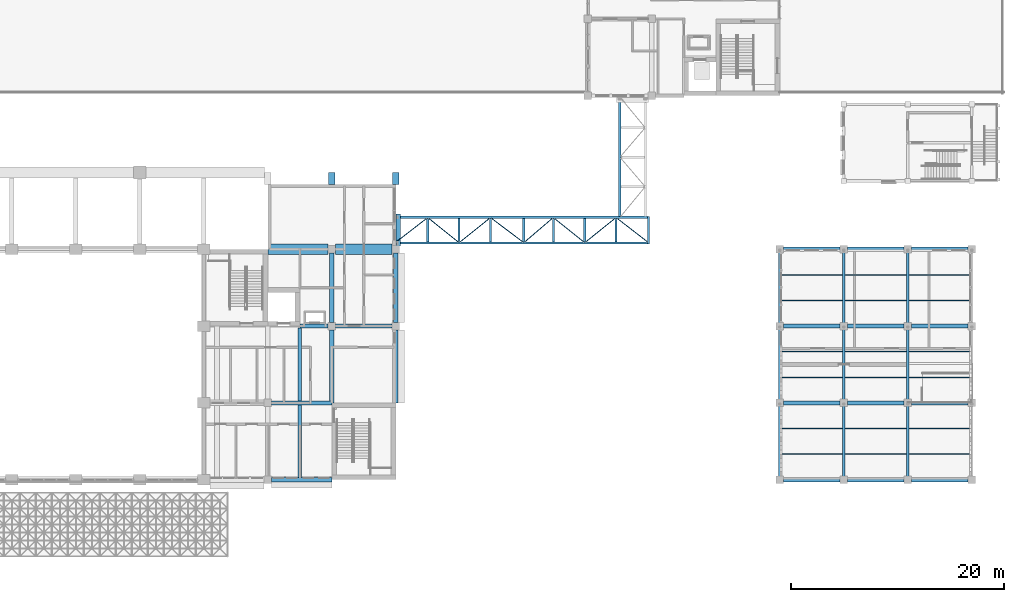
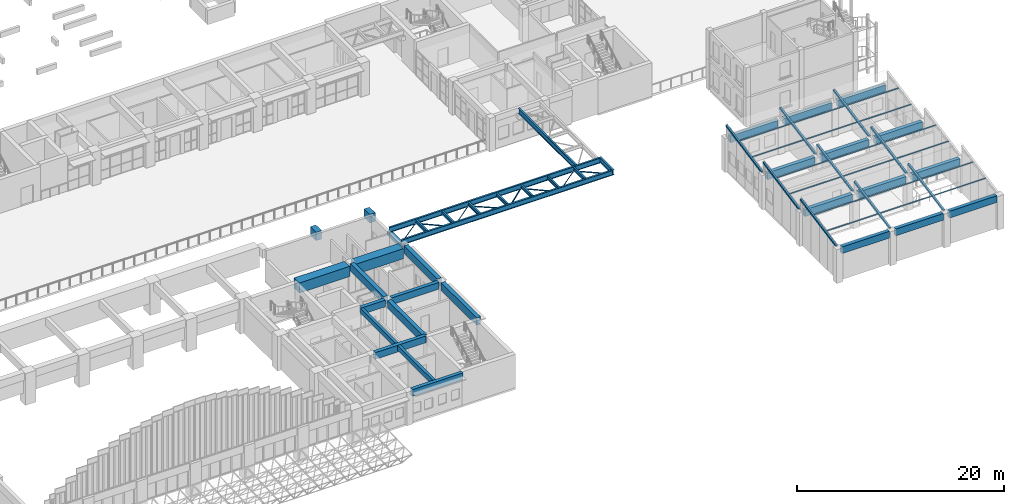
# One storey, part 28 of 103: 38 beams, 35 members.
"""IFC4 building model written with IfcOpenShell, lengths in metres."""

from ifc_helpers import new_model, si_unit, direction, frame, origin, origin_2d, place, context, subcontext, project, spatial, rectangle, hollow_rectangle, hollow_circle, i_section, extrude, material, material_profile, profile_set, type_object, element, save


model = new_model("IFC4")

# Units and contexts
model_context = context("Model", 3, precision=1e-05, world=origin(), true_north=direction((0.0, 1.0)))
body_context = subcontext(model_context, "Body", "Model", "MODEL_VIEW")
ifc_project = project(units=[si_unit("LENGTHUNIT", "METRE"), si_unit("AREAUNIT", "SQUARE_METRE"), si_unit("VOLUMEUNIT", "CUBIC_METRE"), si_unit("PLANEANGLEUNIT", "RADIAN"), si_unit("MASSUNIT", "GRAM", prefix="KILO")], contexts=[model_context])

# Site, building, storey
site_placement = place(None, origin())
site = spatial("IfcSite", under=ifc_project, at=site_placement, CompositionType="ELEMENT")
building_placement = place(site_placement, origin())
building = spatial("IfcBuilding", under=site, at=building_placement, Name="Laocheng Heights Fire and Rescue Headquarters", CompositionType="ELEMENT")
storey_placement = place(building_placement, frame((0.0, 0.0, 4.199951171875)))
storey = spatial("IfcBuildingStorey", under=building, at=storey_placement, Name="L01", CompositionType="ELEMENT", Elevation=4.199951171875)

# Beams
ifc_material_1 = material(Name="Concrete C60", Category="concrete")
ifc_material_profile_1 = material_profile(ifc_material_1, rectangle(XDim=1.0, YDim=1.199951171875, at=origin_2d()), Name="RC BEAM 1000x1200 TRANSFER GIRDER GABLE LINE")
ifc_profile_set_1 = profile_set([ifc_material_profile_1], Name="Concrete C60")
beam_type_1 = type_object("IfcBeamType", Name="RC BEAM 1000x1200 TRANSFER GIRDER GABLE LINE", PredefinedType="BEAM", material=ifc_profile_set_1)
beam_1_placement = place(storey_placement, frame((60.0, 21.60009765625, 3.150146484375), z_axis=(1.0, 0.0, 0.0), x_axis=(0.0, 1.0, 0.0)))
element("IfcBeam", 1, at=beam_1_placement, inside=storey, type_object=beam_type_1, Name="Transfer girder TG4", PredefinedType="BEAM", context=body_context, shape_type="SweptSolid", body=[
    extrude(rectangle(XDim=1.0, YDim=1.199951171875, at=origin_2d()), origin(), (0.0, 0.0, 1.0), 5.64990234375),
])
beam_2_placement = place(storey_placement, frame((66.35009765625, 21.60009765625, 3.150146484375), z_axis=(1.0, 0.0, 0.0), x_axis=(0.0, 1.0, 0.0)))
element("IfcBeam", 2, at=beam_2_placement, inside=storey, type_object=beam_type_1, Name="Transfer girder TG4", PredefinedType="BEAM", context=body_context, shape_type="SweptSolid", body=[
    extrude(rectangle(XDim=1.0, YDim=1.199951171875, at=origin_2d()), origin(), (0.0, 0.0, 1.0), 5.2998046875),
])
ifc_material_2 = material(Name="Concrete C40", Category="concrete")
ifc_material_profile_2 = material_profile(ifc_material_2, rectangle(XDim=0.300048828125, YDim=0.60009765625, at=origin_2d()), Name="RC BEAM 300x600 PAVILION SECONDARY")
ifc_profile_set_2 = profile_set([ifc_material_profile_2], Name="Concrete C40")
beam_type_2 = type_object("IfcBeamType", Name="RC BEAM 300x600 PAVILION SECONDARY", PredefinedType="BEAM", material=ifc_profile_set_2)
for number, where, z_axis, x_axis, name in (
    (3, (63.0, 0.199951171875, 3.650146484375), (0.0, 1.0, 0.0), (-1.0, 0.0, 0.0), "Pavilion secondary beam"),
    (4, (63.0, 7.39990234375, 3.650146484375), (0.0, 1.0, 0.0), (-1.0, 0.0, 0.0), "Pavilion secondary beam"),
):
    element("IfcBeam", number, at=place(storey_placement, frame(where, z_axis=z_axis, x_axis=x_axis)), inside=storey, type_object=beam_type_2, Name=name, PredefinedType="BEAM", context=body_context, shape_type="SweptSolid", body=[
        extrude(rectangle(XDim=0.300048828125, YDim=0.60009765625, at=origin_2d()), origin(), (0.0, 0.0, 1.0), 6.800048828125),
    ])
ifc_material_3 = material(Name="Concrete C40", Category="concrete")
ifc_material_profile_3 = material_profile(ifc_material_3, rectangle(XDim=0.39990234375, YDim=0.800048828125, at=origin_2d()), Name="RC BEAM 400x800 PAVILION FLOOR")
ifc_profile_set_3 = profile_set([ifc_material_profile_3], Name="Concrete C40")
beam_type_3 = type_object("IfcBeamType", Name="RC BEAM 400x800 PAVILION FLOOR", PredefinedType="BEAM", material=ifc_profile_set_3)
for number, where, z_axis, x_axis, name in (
    (5, (60.35009765625, 0.0, 3.550048828125), (1.0, 0.0, 0.0), (0.0, 1.0, 0.0), "Pavilion beam"),
    (6, (60.35009765625, 7.199951171875, 3.550048828125), (1.0, 0.0, 0.0), (0.0, 1.0, 0.0), "Pavilion beam"),
):
    element("IfcBeam", number, at=place(storey_placement, frame(where, z_axis=z_axis, x_axis=x_axis)), inside=storey, type_object=beam_type_3, Name=name, PredefinedType="BEAM", context=body_context, shape_type="SweptSolid", body=[
        extrude(rectangle(XDim=0.39990234375, YDim=0.800048828125, at=origin_2d()), origin(), (0.0, 0.0, 1.0), 5.64990234375),
    ])
beam_3_placement = place(storey_placement, frame((63.0, 14.39990234375, 3.550048828125), z_axis=(1.0, 0.0, 0.0), x_axis=(0.0, 1.0, 0.0)))
element("IfcBeam", 7, at=beam_3_placement, inside=storey, type_object=beam_type_3, Name="Pavilion beam", PredefinedType="BEAM", context=body_context, shape_type="SweptSolid", body=[
    extrude(rectangle(XDim=0.39990234375, YDim=0.800048828125, at=origin_2d()), origin(), (0.0, 0.0, 1.0), 2.64990234375),
])
beam_4_placement = place(storey_placement, frame((66.35009765625, 14.39990234375, 3.550048828125), z_axis=(1.0, 0.0, 0.0), x_axis=(0.0, 1.0, 0.0)))
element("IfcBeam", 8, at=beam_4_placement, inside=storey, type_object=beam_type_3, Name="Pavilion beam", PredefinedType="BEAM", context=body_context, shape_type="SweptSolid", body=[
    extrude(rectangle(XDim=0.39990234375, YDim=0.800048828125, at=origin_2d()), origin(), (0.0, 0.0, 1.0), 5.2998046875),
])
ifc_material_4 = material(Name="Concrete C40", Category="concrete")
ifc_material_profile_4 = material_profile(ifc_material_4, rectangle(XDim=0.39990234375, YDim=0.800048828125, at=origin_2d()), Name="RC BEAM 400x800 SAWTOOTH LINE")
ifc_profile_set_4 = profile_set([ifc_material_profile_4], Name="Concrete C40")
beam_type_4 = type_object("IfcBeamType", Name="RC BEAM 400x800 SAWTOOTH LINE", PredefinedType="BEAM", material=ifc_profile_set_4)
for number, where, z_axis, x_axis, name in (
    (9, (108.35009765625, 0.0, 3.603759765625), (1.0, 0.0, 0.0), (0.0, 1.0, 0.0), "Sawtooth line beam"),
    (10, (114.35009765625, 0.0, 3.603759765625), (1.0, 0.0, 0.0), (0.0, 1.0, 0.0), "Sawtooth line beam"),
    (11, (120.35009765625, 0.0, 3.603759765625), (1.0, 0.0, 0.0), (0.0, 1.0, 0.0), "Sawtooth line beam"),
    (12, (108.35009765625, 7.199951171875, 3.603759765625), (1.0, 0.0, 0.0), (0.0, 1.0, 0.0), "Sawtooth line beam"),
    (13, (114.35009765625, 7.199951171875, 3.603759765625), (1.0, 0.0, 0.0), (0.0, 1.0, 0.0), "Sawtooth line beam"),
    (14, (120.35009765625, 7.199951171875, 3.603759765625), (1.0, 0.0, 0.0), (0.0, 1.0, 0.0), "Sawtooth line beam"),
    (15, (108.35009765625, 14.39990234375, 3.603759765625), (1.0, 0.0, 0.0), (0.0, 1.0, 0.0), "Sawtooth line beam"),
    (16, (114.35009765625, 14.39990234375, 3.603759765625), (1.0, 0.0, 0.0), (0.0, 1.0, 0.0), "Sawtooth line beam"),
    (17, (120.35009765625, 14.39990234375, 3.603759765625), (1.0, 0.0, 0.0), (0.0, 1.0, 0.0), "Sawtooth line beam"),
    (18, (108.35009765625, 21.60009765625, 3.603759765625), (1.0, 0.0, 0.0), (0.0, 1.0, 0.0), "Sawtooth line beam"),
    (19, (114.35009765625, 21.60009765625, 3.603759765625), (1.0, 0.0, 0.0), (0.0, 1.0, 0.0), "Sawtooth line beam"),
    (20, (120.35009765625, 21.60009765625, 3.603759765625), (1.0, 0.0, 0.0), (0.0, 1.0, 0.0), "Sawtooth line beam"),
):
    element("IfcBeam", number, at=place(storey_placement, frame(where, z_axis=z_axis, x_axis=x_axis)), inside=storey, type_object=beam_type_4, Name=name, PredefinedType="BEAM", context=body_context, shape_type="SweptSolid", body=[
        extrude(rectangle(XDim=0.39990234375, YDim=0.800048828125, at=origin_2d()), origin(), (0.0, 0.0, 1.0), 5.2998046875),
    ])
ifc_material_5 = material(Name="Concrete C40", Category="concrete")
ifc_material_profile_5 = material_profile(ifc_material_5, rectangle(XDim=0.449951171875, YDim=0.89990234375, at=origin_2d()), Name="RC BEAM 450x900 PAVILION FLOOR")
ifc_profile_set_5 = profile_set([ifc_material_profile_5], Name="Concrete C40")
beam_type_5 = type_object("IfcBeamType", Name="RC BEAM 450x900 PAVILION FLOOR", PredefinedType="BEAM", material=ifc_profile_set_5)
beam_5_placement = place(storey_placement, frame((66.0, 7.199951171875, 3.5), z_axis=(0.0, 1.0, 0.0), x_axis=(-1.0, 0.0, 0.0)))
element("IfcBeam", 21, at=beam_5_placement, inside=storey, type_object=beam_type_5, Name="Pavilion beam", PredefinedType="BEAM", context=body_context, shape_type="SweptSolid", body=[
    extrude(rectangle(XDim=0.449951171875, YDim=0.89990234375, at=origin_2d()), origin(), (0.0, 0.0, 1.0), 6.85009765625),
])
beam_6_placement = place(storey_placement, frame((66.0, 14.75, 3.5), z_axis=(0.0, 1.0, 0.0), x_axis=(-1.0, 0.0, 0.0)))
element("IfcBeam", 22, at=beam_6_placement, inside=storey, type_object=beam_type_5, Name="Pavilion beam", PredefinedType="BEAM", context=body_context, shape_type="SweptSolid", body=[
    extrude(rectangle(XDim=0.449951171875, YDim=0.89990234375, at=origin_2d()), origin(), (0.0, 0.0, 1.0), 6.5),
])
beam_7_placement = place(storey_placement, frame((72.0, 7.199951171875, 3.5), z_axis=(0.0, 1.0, 0.0), x_axis=(-1.0, 0.0, 0.0)))
element("IfcBeam", 23, at=beam_7_placement, inside=storey, type_object=beam_type_5, Name="Pavilion beam", PredefinedType="BEAM", context=body_context, shape_type="SweptSolid", body=[
    extrude(rectangle(XDim=0.449951171875, YDim=0.89990234375, at=origin_2d()), origin(), (0.0, 0.0, 1.0), 6.85009765625),
])
beam_8_placement = place(storey_placement, frame((72.0, 14.75, 3.5), z_axis=(0.0, 1.0, 0.0), x_axis=(-1.0, 0.0, 0.0)))
element("IfcBeam", 24, at=beam_8_placement, inside=storey, type_object=beam_type_5, Name="Pavilion beam", PredefinedType="BEAM", context=body_context, shape_type="SweptSolid", body=[
    extrude(rectangle(XDim=0.449951171875, YDim=0.89990234375, at=origin_2d()), origin(), (0.0, 0.0, 1.0), 6.5),
])
ifc_material_6 = material(Name="Concrete C60", Category="concrete")
ifc_material_profile_6 = material_profile(ifc_material_6, rectangle(XDim=0.60009765625, YDim=1.0, at=origin_2d()), Name="RC BEAM 600x1000 TRANSFER CANTILEVER")
ifc_profile_set_6 = profile_set([ifc_material_profile_6], Name="Concrete C60")
beam_type_6 = type_object("IfcBeamType", Name="RC BEAM 600x1000 TRANSFER CANTILEVER", PredefinedType="BEAM", material=ifc_profile_set_6)
for number, where, z_axis, x_axis, name in (
    (25, (66.0, 27.699951171875, 3.25), (0.0, 1.0, 0.0), (-1.0, 0.0, 0.0), "Cantilever transfer beam TG5"),
    (26, (72.0, 27.699951171875, 3.25), (0.0, 1.0, 0.0), (-1.0, 0.0, 0.0), "Cantilever transfer beam TG5"),
):
    element("IfcBeam", number, at=place(storey_placement, frame(where, z_axis=z_axis, x_axis=x_axis)), inside=storey, type_object=beam_type_6, Name=name, PredefinedType="BEAM", context=body_context, shape_type="SweptSolid", body=[
        extrude(rectangle(XDim=0.60009765625, YDim=1.0, at=origin_2d()), origin(), (0.0, 0.0, 1.0), 1.10009765625),
    ])
ifc_material_7 = material(Name="Concrete C40", Category="concrete")
ifc_material_profile_7 = material_profile(ifc_material_7, rectangle(XDim=0.449951171875, YDim=0.449951171875, at=origin_2d()), Name="RC CORBEL 450x450 BRIDGE SEAT")
ifc_profile_set_7 = profile_set([ifc_material_profile_7], Name="Concrete C40")
beam_type_7 = type_object("IfcBeamType", Name="RC CORBEL 450x450 BRIDGE SEAT", PredefinedType="BEAM", material=ifc_profile_set_7)
beam_9_placement = place(storey_placement, frame((72.22509765625, 21.89990234375, 3.1552734375), z_axis=(0.0, 1.0, 0.0), x_axis=(-1.0, 0.0, 0.0)))
element("IfcBeam", 27, at=beam_9_placement, inside=storey, type_object=beam_type_7, Name="Bridge B4 corbel", PredefinedType="BEAM", context=body_context, shape_type="SweptSolid", body=[
    extrude(rectangle(XDim=0.449951171875, YDim=0.449951171875, at=origin_2d()), origin(), (0.0, 0.0, 1.0), 3.0),
])
ifc_material_8 = material(Name="Steel Q355B", Category="steel")
ifc_material_profile_8 = material_profile(ifc_material_8, i_section(OverallWidth=0.199951171875, OverallDepth=0.60009765625, WebThickness=0.010986328125, FlangeThickness=0.01708984375, at=origin_2d()), Name="HN 600x200x11x17")
ifc_profile_set_8 = profile_set([ifc_material_profile_8], Name="Steel Q355B")
beam_type_8 = type_object("IfcBeamType", Name="STEEL BRIDGE GIRDER HN 600x200x11x17", PredefinedType="BEAM", material=ifc_profile_set_8)
for number, where, z_axis, x_axis, name in (
    (28, (72.050048828125, 22.199951171875, 3.699951171875), (1.0, 0.0, 0.0), (0.0, 1.0, 0.0), "Bridge B4 girder"),
    (29, (72.050048828125, 24.60009765625, 3.699951171875), (1.0, 0.0, 0.0), (0.0, 1.0, 0.0), "Bridge B4 girder"),
):
    element("IfcBeam", number, at=place(storey_placement, frame(where, z_axis=z_axis, x_axis=x_axis)), inside=storey, type_object=beam_type_8, Name=name, PredefinedType="BEAM", context=body_context, shape_type="SweptSolid", body=[
        extrude(i_section(OverallWidth=0.199951171875, OverallDepth=0.60009765625, WebThickness=0.010986328125, FlangeThickness=0.01708984375, at=origin_2d()), origin(), (0.0, 0.0, 1.0), 23.550048828125),
    ])
beam_10_placement = place(storey_placement, frame((95.699951171875, 22.10009765625, 3.699951171875), z_axis=(0.0, 1.0, 0.0), x_axis=(-1.0, 0.0, 0.0)))
element("IfcBeam", 30, at=beam_10_placement, inside=storey, type_object=beam_type_8, Name="Bridge B4 end beam", PredefinedType="BEAM", context=body_context, shape_type="SweptSolid", body=[
    extrude(i_section(OverallWidth=0.199951171875, OverallDepth=0.60009765625, WebThickness=0.010986328125, FlangeThickness=0.01708984375, at=origin_2d()), origin(), (0.0, 0.0, 1.0), 2.599853515625),
])
beam_11_placement = place(storey_placement, frame((93.0, 24.699951171875, 3.699951171875), z_axis=(0.0, 1.0, 0.0), x_axis=(-1.0, 0.0, 0.0)))
element("IfcBeam", 31, at=beam_11_placement, inside=storey, type_object=beam_type_8, Name="Bridge B4 girder", PredefinedType="BEAM", context=body_context, shape_type="SweptSolid", body=[
    extrude(i_section(OverallWidth=0.199951171875, OverallDepth=0.60009765625, WebThickness=0.010986328125, FlangeThickness=0.01708984375, at=origin_2d()), origin(), (0.0, 0.0, 1.0), 11.074951171875),
])

# Members
ifc_material_9 = material(Name="Steel Q355B", Category="steel")
ifc_material_profile_9 = material_profile(ifc_material_9, hollow_circle(Radius=0.04443359375, WallThickness=0.0048828125, at=origin_2d()), Name="CHS 88.9x5")
ifc_profile_set_9 = profile_set([ifc_material_profile_9], Name="Steel Q355B")
member_type_1 = type_object("IfcMemberType", Name="STEEL BRIDGE PLAN BRACE CHS 88.9x5", PredefinedType="BRACE", material=ifc_profile_set_9)
member_1_placement = place(storey_placement, frame((72.050048828125, 22.300048828125, 3.4443359375), z_axis=(0.790947380603, 0.611884172958, 0.0), x_axis=(-0.611884172958, 0.790947380603, 0.0)))
element("IfcMember", 32, at=member_1_placement, inside=storey, type_object=member_type_1, Name="Bridge B4 plan bracing", PredefinedType="BRACE", context=body_context, shape_type="SweptSolid", body=[
    extrude(hollow_circle(Radius=0.04443359375, WallThickness=0.0048828125, at=origin_2d()), origin(), (0.0, 0.0, 1.0), 3.595458984375),
])
for number, where, z_axis, x_axis, name in (
    (33, (75.09375, 24.5, 3.4443359375), (0.780170710493, -0.625566673096, 0.0), (0.625566673096, 0.780170710493, 0.0), "Bridge B4 plan bracing"),
    (34, (78.03759765625, 22.300048828125, 3.4443359375), (0.780170710493, 0.625566673096, 0.0), (-0.625566673096, 0.780170710493, 0.0), "Bridge B4 plan bracing"),
):
    element("IfcMember", number, at=place(storey_placement, frame(where, z_axis=z_axis, x_axis=x_axis)), inside=storey, type_object=member_type_1, Name=name, PredefinedType="BRACE", context=body_context, shape_type="SweptSolid", body=[
        extrude(hollow_circle(Radius=0.04443359375, WallThickness=0.0048828125, at=origin_2d()), origin(), (0.0, 0.0, 1.0), 3.516845703125),
    ])
member_2_placement = place(storey_placement, frame((80.981201171875, 24.5, 3.4443359375), z_axis=(0.798562904451, -0.601911361942, 0.0), x_axis=(0.601911361942, 0.798562904451, 0.0)))
element("IfcMember", 35, at=member_2_placement, inside=storey, type_object=member_type_1, Name="Bridge B4 plan bracing", PredefinedType="BRACE", context=body_context, shape_type="SweptSolid", body=[
    extrude(hollow_circle(Radius=0.04443359375, WallThickness=0.0048828125, at=origin_2d()), origin(), (0.0, 0.0, 1.0), 3.655029296875),
])
member_3_placement = place(storey_placement, frame((84.10009765625, 22.300048828125, 3.4443359375), z_axis=(0.75950623739, 0.650500019497, 0.0), x_axis=(-0.650500019497, 0.75950623739, 0.0)))
element("IfcMember", 36, at=member_3_placement, inside=storey, type_object=member_type_1, Name="Bridge B4 plan bracing", PredefinedType="BRACE", context=body_context, shape_type="SweptSolid", body=[
    extrude(hollow_circle(Radius=0.04443359375, WallThickness=0.0048828125, at=origin_2d()), origin(), (0.0, 0.0, 1.0), 3.3818359375),
])
for number, where, z_axis, x_axis, name in (
    (37, (86.868896484375, 24.5, 3.4443359375), (0.780170710493, -0.625566673096, 0.0), (0.625566673096, 0.780170710493, 0.0), "Bridge B4 plan bracing"),
    (38, (89.8125, 22.300048828125, 3.4443359375), (0.78019787567, 0.625532792745, 0.0), (-0.625532792745, 0.78019787567, 0.0), "Bridge B4 plan bracing"),
):
    element("IfcMember", number, at=place(storey_placement, frame(where, z_axis=z_axis, x_axis=x_axis)), inside=storey, type_object=member_type_1, Name=name, PredefinedType="BRACE", context=body_context, shape_type="SweptSolid", body=[
        extrude(hollow_circle(Radius=0.04443359375, WallThickness=0.0048828125, at=origin_2d()), origin(), (0.0, 0.0, 1.0), 3.516845703125),
    ])
member_4_placement = place(storey_placement, frame((92.756103515625, 24.5, 3.4443359375), z_axis=(0.790972802016, -0.611851310753, 0.0), x_axis=(0.611851310753, 0.790972802016, 0.0)))
element("IfcMember", 39, at=member_4_placement, inside=storey, type_object=member_type_1, Name="Bridge B4 plan bracing", PredefinedType="BRACE", context=body_context, shape_type="SweptSolid", body=[
    extrude(hollow_circle(Radius=0.04443359375, WallThickness=0.0048828125, at=origin_2d()), origin(), (0.0, 0.0, 1.0), 3.595458984375),
])

# Beams
ifc_material_10 = material(Name="Steel Q355B", Category="steel")
ifc_material_profile_10 = material_profile(ifc_material_10, i_section(OverallWidth=0.199951171875, OverallDepth=0.39990234375, WebThickness=0.008056640625, FlangeThickness=0.012939453125, at=origin_2d()), Name="HN 400x200x8x13")
ifc_profile_set_10 = profile_set([ifc_material_profile_10], Name="Steel Q355B")
beam_type_9 = type_object("IfcBeamType", Name="STEEL BRIDGE TYING BEAM HN 400x200x8x13", PredefinedType="BEAM", material=ifc_profile_set_10)
for number, where, z_axis, x_axis, name in (
    (40, (74.993896484375, 22.300048828125, 3.800048828125), (0.0, 1.0, 0.0), (-1.0, 0.0, 0.0), "Bridge B4 cross beam"),
    (41, (77.9375, 22.300048828125, 3.800048828125), (0.0, 1.0, 0.0), (-1.0, 0.0, 0.0), "Bridge B4 cross beam"),
    (42, (80.881103515625, 22.300048828125, 3.800048828125), (0.0, 1.0, 0.0), (-1.0, 0.0, 0.0), "Bridge B4 cross beam"),
    (43, (84.0, 22.300048828125, 3.800048828125), (0.0, 1.0, 0.0), (-1.0, 0.0, 0.0), "Bridge B4 cross beam"),
    (44, (86.768798828125, 22.300048828125, 3.800048828125), (0.0, 1.0, 0.0), (-1.0, 0.0, 0.0), "Bridge B4 cross beam"),
    (45, (89.71240234375, 22.300048828125, 3.800048828125), (0.0, 1.0, 0.0), (-1.0, 0.0, 0.0), "Bridge B4 cross beam"),
    (46, (92.65625, 22.300048828125, 3.800048828125), (0.0, 1.0, 0.0), (-1.0, 0.0, 0.0), "Bridge B4 cross beam"),
):
    element("IfcBeam", number, at=place(storey_placement, frame(where, z_axis=z_axis, x_axis=x_axis)), inside=storey, type_object=beam_type_9, Name=name, PredefinedType="BEAM", context=body_context, shape_type="SweptSolid", body=[
        extrude(i_section(OverallWidth=0.199951171875, OverallDepth=0.39990234375, WebThickness=0.008056640625, FlangeThickness=0.012939453125, at=origin_2d()), origin(), (0.0, 0.0, 1.0), 2.199951171875),
    ])

# Members
ifc_material_11 = material(Name="Steel Q355B", Category="steel")
ifc_material_profile_11 = material_profile(ifc_material_11, hollow_rectangle(XDim=0.10009765625, YDim=0.10009765625, WallThickness=0.0048828125, at=origin_2d()), Name="RHS 100x100x5")
ifc_profile_set_11 = profile_set([ifc_material_profile_11], Name="Steel Q355B")
member_type_2 = type_object("IfcMemberType", Name="STEEL PURLIN RHS 100x100x5 SAWTOOTH", PredefinedType="PURLIN", material=ifc_profile_set_11)
for number, where, z_axis, x_axis, name in (
    (47, (108.10009765625, 2.39990234375, 4.412109375), (1.0, 0.0, 0.0), (0.0, 1.0, 0.0), "Sawtooth purlin"),
    (48, (114.10009765625, 2.39990234375, 4.412109375), (1.0, 0.0, 0.0), (0.0, 1.0, 0.0), "Sawtooth purlin"),
    (49, (120.10009765625, 2.39990234375, 4.412109375), (1.0, 0.0, 0.0), (0.0, 1.0, 0.0), "Sawtooth purlin"),
    (50, (108.10009765625, 4.800048828125, 4.878662109375), (1.0, 0.0, 0.0), (0.0, 1.0, 0.0), "Sawtooth purlin"),
    (51, (114.10009765625, 4.800048828125, 4.878662109375), (1.0, 0.0, 0.0), (0.0, 1.0, 0.0), "Sawtooth purlin"),
    (52, (120.10009765625, 4.800048828125, 4.878662109375), (1.0, 0.0, 0.0), (0.0, 1.0, 0.0), "Sawtooth purlin"),
    (53, (108.10009765625, 9.60009765625, 4.412109375), (1.0, 0.0, 0.0), (0.0, 1.0, 0.0), "Sawtooth purlin"),
    (54, (114.10009765625, 9.60009765625, 4.412109375), (1.0, 0.0, 0.0), (0.0, 1.0, 0.0), "Sawtooth purlin"),
    (55, (120.10009765625, 9.60009765625, 4.412109375), (1.0, 0.0, 0.0), (0.0, 1.0, 0.0), "Sawtooth purlin"),
    (56, (108.10009765625, 12.0, 4.878662109375), (1.0, 0.0, 0.0), (0.0, 1.0, 0.0), "Sawtooth purlin"),
    (57, (114.10009765625, 12.0, 4.878662109375), (1.0, 0.0, 0.0), (0.0, 1.0, 0.0), "Sawtooth purlin"),
    (58, (120.10009765625, 12.0, 4.878662109375), (1.0, 0.0, 0.0), (0.0, 1.0, 0.0), "Sawtooth purlin"),
    (59, (108.10009765625, 16.800048828125, 4.412109375), (1.0, 0.0, 0.0), (0.0, 1.0, 0.0), "Sawtooth purlin"),
    (60, (114.10009765625, 16.800048828125, 4.412109375), (1.0, 0.0, 0.0), (0.0, 1.0, 0.0), "Sawtooth purlin"),
    (61, (120.10009765625, 16.800048828125, 4.412109375), (1.0, 0.0, 0.0), (0.0, 1.0, 0.0), "Sawtooth purlin"),
    (62, (108.10009765625, 19.199951171875, 4.878662109375), (1.0, 0.0, 0.0), (0.0, 1.0, 0.0), "Sawtooth purlin"),
    (63, (114.10009765625, 19.199951171875, 4.878662109375), (1.0, 0.0, 0.0), (0.0, 1.0, 0.0), "Sawtooth purlin"),
    (64, (120.10009765625, 19.199951171875, 4.878662109375), (1.0, 0.0, 0.0), (0.0, 1.0, 0.0), "Sawtooth purlin"),
):
    element("IfcMember", number, at=place(storey_placement, frame(where, z_axis=z_axis, x_axis=x_axis)), inside=storey, type_object=member_type_2, Name=name, PredefinedType="PURLIN", context=body_context, shape_type="SweptSolid", body=[
        extrude(hollow_rectangle(XDim=0.10009765625, YDim=0.10009765625, WallThickness=0.0048828125, at=origin_2d()), origin(), (0.0, 0.0, 1.0), 5.7998046875),
    ])
ifc_material_12 = material(Name="Steel Q355B", Category="steel")
ifc_material_profile_12 = material_profile(ifc_material_12, hollow_rectangle(XDim=0.199951171875, YDim=0.199951171875, WallThickness=0.008056640625, at=origin_2d()), Name="SHS 200x200x8")
ifc_profile_set_12 = profile_set([ifc_material_profile_12], Name="Steel Q355B")
member_type_3 = type_object("IfcMemberType", Name="STEEL RAFTER SHS 200x200x8 SAWTOOTH", PredefinedType="RAFTER", material=ifc_profile_set_12)
for number, where, z_axis, x_axis, name in (
    (65, (108.0, 0.25732421875, 3.9443359375), (0.0, 0.981611412643, 0.190890111241), (-1.0, 0.0, 0.0), "Sawtooth rafter"),
    (66, (114.0, 0.25732421875, 3.9443359375), (0.0, 0.981611412643, 0.190890111241), (-1.0, 0.0, 0.0), "Sawtooth rafter"),
    (67, (120.0, 0.25732421875, 3.9443359375), (0.0, 0.981611412643, 0.190890111241), (-1.0, 0.0, 0.0), "Sawtooth rafter"),
):
    element("IfcMember", number, at=place(storey_placement, frame(where, z_axis=z_axis, x_axis=x_axis)), inside=storey, type_object=member_type_3, Name=name, PredefinedType="RAFTER", context=body_context, shape_type="SweptSolid", body=[
        extrude(hollow_rectangle(XDim=0.199951171875, YDim=0.199951171875, WallThickness=0.008056640625, at=origin_2d()), origin(), (0.0, 0.0, 1.0), 7.029052734375),
    ])
for number, where, z_axis, x_axis, name in (
    (68, (108.0, 7.457275390625, 3.9443359375), (0.0, 0.981612678199, 0.190883603276), (-1.0, 0.0, 0.0), "Sawtooth rafter"),
    (69, (114.0, 7.457275390625, 3.9443359375), (0.0, 0.981612678199, 0.190883603276), (-1.0, 0.0, 0.0), "Sawtooth rafter"),
    (70, (120.0, 7.457275390625, 3.9443359375), (0.0, 0.981612678199, 0.190883603276), (-1.0, 0.0, 0.0), "Sawtooth rafter"),
    (71, (108.0, 14.6572265625, 3.9443359375), (0.0, 0.981612678199, 0.190883603276), (-1.0, 0.0, 0.0), "Sawtooth rafter"),
    (72, (114.0, 14.6572265625, 3.9443359375), (0.0, 0.981612678199, 0.190883603276), (-1.0, 0.0, 0.0), "Sawtooth rafter"),
    (73, (120.0, 14.6572265625, 3.9443359375), (0.0, 0.981612678199, 0.190883603276), (-1.0, 0.0, 0.0), "Sawtooth rafter"),
):
    element("IfcMember", number, at=place(storey_placement, frame(where, z_axis=z_axis, x_axis=x_axis)), inside=storey, type_object=member_type_3, Name=name, PredefinedType="RAFTER", context=body_context, shape_type="SweptSolid", body=[
        extrude(hollow_rectangle(XDim=0.199951171875, YDim=0.199951171875, WallThickness=0.008056640625, at=origin_2d()), origin(), (0.0, 0.0, 1.0), 7.029296875),
    ])

save(model, "model.ifc")
